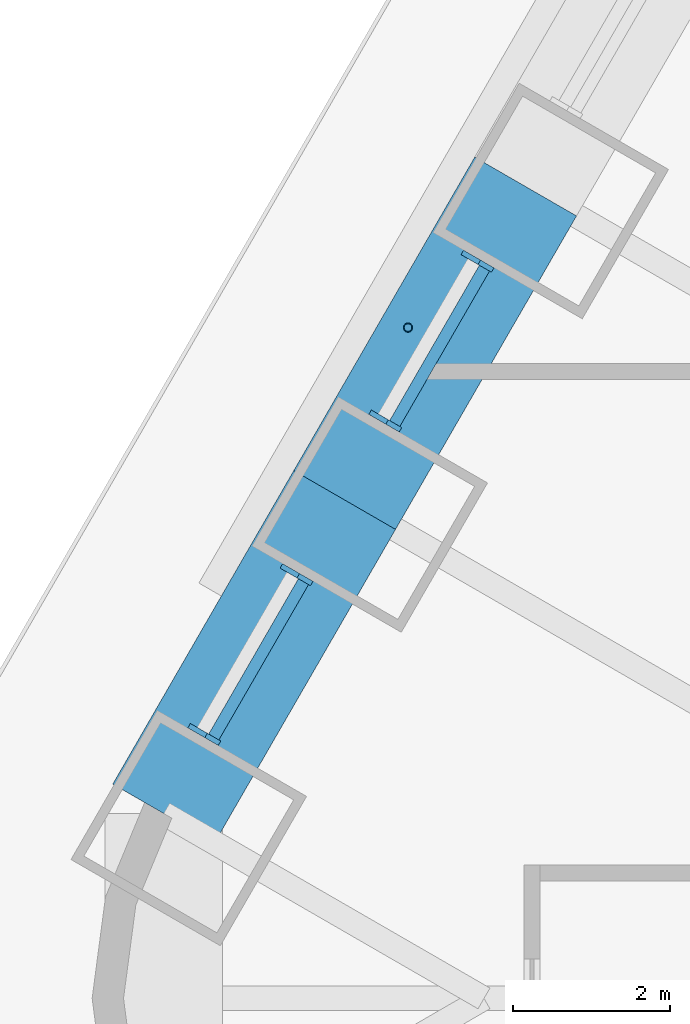
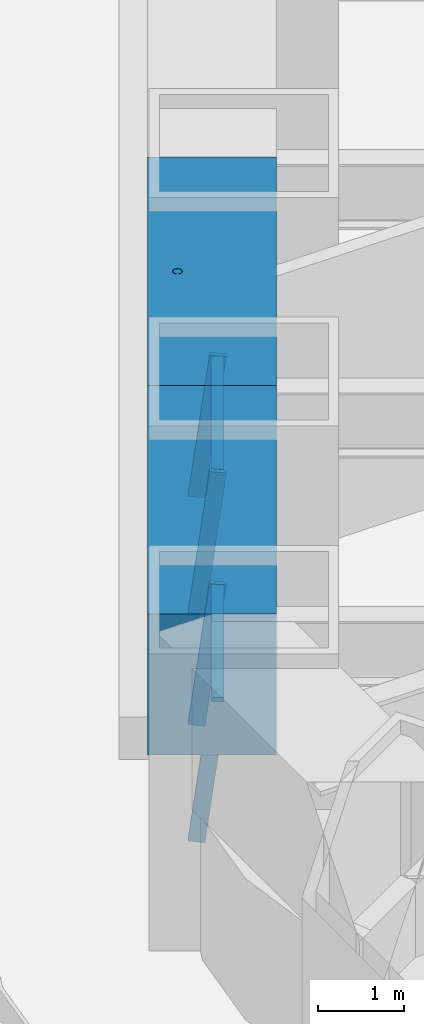
# One storey, part 6 of 20: 7 members, 2 beams, 2 elements without a shape of their own.
"""IFC4 building model written with IfcOpenShell, lengths in metres."""

from ifc_helpers import new_model, si_unit, direction, frame, origin, origin_2d, place, context, subcontext, project, spatial, rectangle, hollow_circle, extrude, material, material_profile, profile_set, type_object, element, aggregate, save


model = new_model("IFC4")

# Units and contexts
model_context = context("Model", 3, precision=1e-05, world=origin(), true_north=direction((0.0, 1.0)))
body_context = subcontext(model_context, "Body", "Model", "MODEL_VIEW")
ifc_project = project(units=[si_unit("LENGTHUNIT", "METRE"), si_unit("AREAUNIT", "SQUARE_METRE"), si_unit("VOLUMEUNIT", "CUBIC_METRE"), si_unit("PLANEANGLEUNIT", "RADIAN"), si_unit("MASSUNIT", "GRAM", prefix="KILO")], contexts=[model_context])

# Site, building, storey
site_placement = place(None, origin())
site = spatial("IfcSite", under=ifc_project, at=site_placement, CompositionType="ELEMENT")
building_placement = place(site_placement, origin())
building = spatial("IfcBuilding", under=site, at=building_placement, Name="Tarfa Lantern Tower", CompositionType="ELEMENT")
storey_placement = place(building_placement, frame((0.0, 0.0, 215.5)))
storey = spatial("IfcBuildingStorey", under=building, at=storey_placement, Name="L48", CompositionType="ELEMENT", Elevation=215.5)

# Curtain wall, members
ifc_material_1 = material(Name="Aluminium framed curtain wall", Category="aluminium")
curtain_wall_type = type_object("IfcCurtainWallType", Name="CW3 CANTED GLAZING HIGH ZONE 2000", PredefinedType="USERDEFINED", material=ifc_material_1)
curtain_wall_1_placement = place(storey_placement, origin())
curtain_wall_1 = element("IfcCurtainWall", 1, at=curtain_wall_1_placement, inside=storey, type_object=curtain_wall_type, Name="CW3 NW L48", ObjectType="CURTAIN WALL", PredefinedType="USERDEFINED")
ifc_material_2 = material(Name="Aluminium mullion", Category="aluminium")
ifc_material_profile_1 = material_profile(ifc_material_2, rectangle(XDim=0.06494140625, YDim=0.199951171875, at=origin_2d()), Name="AL MULLION 65x200")
ifc_profile_set_1 = profile_set([ifc_material_profile_1], Name="Aluminium mullion")
member_type_1 = type_object("IfcMemberType", Name="CWM1 MULLION 65x200", PredefinedType="MULLION", material=ifc_profile_set_1)
member_1_placement = place(storey_placement, frame((-27.90380859375, 9.46923828125, 0.0), z_axis=(0.107439978116, -0.062017213975, 0.992275423596), x_axis=(0.499919672301, 0.866071776036, 0.0)))
member_1 = element("IfcMember", 2, at=member_1_placement, type_object=member_type_1, Name="CW3 mullion 1", PredefinedType="MULLION", context=body_context, shape_type="SweptSolid", body=[
    extrude(rectangle(XDim=0.06494140625, YDim=0.199951171875, at=origin_2d()), origin(), (0.0, 0.0, 1.0), 2.015625),
])
member_2_placement = place(storey_placement, frame((-29.08056640625, 7.4306640625, 0.0), z_axis=(0.107320246625, -0.062018020623, 0.992288329964), x_axis=(0.500342721131, 0.865827443207, 0.0)))
member_2 = element("IfcMember", 3, at=member_2_placement, type_object=member_type_1, Name="CW3 mullion 2", PredefinedType="MULLION", context=body_context, shape_type="SweptSolid", body=[
    extrude(rectangle(XDim=0.06494140625, YDim=0.199951171875, at=origin_2d()), origin(), (0.0, 0.0, 1.0), 2.015625),
])

curtain_wall_2_placement = place(storey_placement, origin())
curtain_wall_2 = element("IfcCurtainWall", 4, at=curtain_wall_2_placement, inside=storey, type_object=curtain_wall_type, Name="CW3 NW L48", ObjectType="CURTAIN WALL", PredefinedType="USERDEFINED")
member_3_placement = place(storey_placement, frame((-30.213134765625, 5.46923828125, 0.0), z_axis=(0.107439978116, -0.062017213975, 0.992275423596), x_axis=(0.499919672301, 0.866071776036, 0.0)))
member_3 = element("IfcMember", 5, at=member_3_placement, type_object=member_type_1, Name="CW3 mullion 1", PredefinedType="MULLION", context=body_context, shape_type="SweptSolid", body=[
    extrude(rectangle(XDim=0.06494140625, YDim=0.199951171875, at=origin_2d()), origin(), (0.0, 0.0, 1.0), 2.015625),
])
member_4_placement = place(storey_placement, frame((-31.39013671875, 3.4306640625, 0.0), z_axis=(0.107439978116, -0.062017213975, 0.992275423596), x_axis=(0.499919672301, 0.866071776036, 0.0)))
member_4 = element("IfcMember", 6, at=member_4_placement, type_object=member_type_1, Name="CW3 mullion 2", PredefinedType="MULLION", context=body_context, shape_type="SweptSolid", body=[
    extrude(rectangle(XDim=0.06494140625, YDim=0.199951171875, at=origin_2d()), origin(), (0.0, 0.0, 1.0), 2.015625),
])

# Member
ifc_material_3 = material(Name="Aluminium transom", Category="aluminium")
ifc_material_profile_2 = material_profile(ifc_material_3, rectangle(XDim=0.14990234375, YDim=0.06494140625, at=origin_2d()), Name="AL TRANSOM 150x65")
ifc_profile_set_2 = profile_set([ifc_material_profile_2], Name="Aluminium transom")
member_type_2 = type_object("IfcMemberType", Name="CWT1 TRANSOM 150x65", PredefinedType="USERDEFINED", material=ifc_profile_set_2)
member_5_placement = place(storey_placement, frame((-27.70703125, 9.318115234375, 1.967529296875), z_axis=(-0.500039451542, -0.866002625228, 0.0), x_axis=(0.866002625228, -0.500039451542, 0.0)))
member_5 = element("IfcMember", 7, at=member_5_placement, type_object=member_type_2, Name="CW3 transom 1.2", ObjectType="TRANSOM", PredefinedType="USERDEFINED", context=body_context, shape_type="SweptSolid", body=[
    extrude(rectangle(XDim=0.14990234375, YDim=0.06494140625, at=origin_2d()), origin(), (0.0, 0.0, 1.0), 2.288818359375),
])

aggregate(curtain_wall_1, [member_1, member_2, member_5])

member_6_placement = place(storey_placement, frame((-30.016357421875, 5.318115234375, 1.967529296875), z_axis=(-0.500039451542, -0.866002625228, 0.0), x_axis=(0.866002625228, -0.500039451542, 0.0)))
member_6 = element("IfcMember", 8, at=member_6_placement, type_object=member_type_2, Name="CW3 transom 1.2", ObjectType="TRANSOM", PredefinedType="USERDEFINED", context=body_context, shape_type="SweptSolid", body=[
    extrude(rectangle(XDim=0.14990234375, YDim=0.06494140625, at=origin_2d()), origin(), (0.0, 0.0, 1.0), 2.288818359375),
])

aggregate(curtain_wall_2, [member_3, member_4, member_6])

# Beams
ifc_material_4 = material(Name="Concrete C80/95", Category="concrete")
ifc_material_profile_3 = material_profile(ifc_material_4, rectangle(XDim=1.5, YDim=2.0, at=origin_2d()), Name="RC 1500x2000")
ifc_profile_set_3 = profile_set([ifc_material_profile_3], Name="Concrete C80/95")
beam_type = type_object("IfcBeamType", Name="RB3 RC 1500x2000", PredefinedType="BEAM", material=ifc_profile_set_3)
beam_1_placement = place(storey_placement, frame((-27.181640625, 10.360107421875, 3.0), z_axis=(-0.499987836815, -0.866032426089, 0.0), x_axis=(0.866032426089, -0.499987836815, 0.0)))
element("IfcBeam", 9, at=beam_1_placement, inside=storey, type_object=beam_type, Name="Edge beam NW4", PredefinedType="BEAM", context=body_context, shape_type="SweptSolid", body=[
    extrude(rectangle(XDim=1.5, YDim=2.0, at=origin_2d()), origin(), (0.0, 0.0, 1.0), 4.61865234375),
])
beam_2_placement = place(storey_placement, frame((-29.490966796875, 6.360107421875, 3.0), z_axis=(-0.500027479704, -0.866009537788, 0.0), x_axis=(0.866009537788, -0.500027479704, 0.0)))
element("IfcBeam", 10, at=beam_2_placement, inside=storey, type_object=beam_type, Name="Edge beam NW5", PredefinedType="BEAM", context=body_context, shape_type="SweptSolid", body=[
    extrude(rectangle(XDim=1.5, YDim=2.0, at=origin_2d()), origin(), (0.0, 0.0, 1.0), 4.618896484375),
])

# Member
ifc_material_5 = material(Name="Steel S355", Category="steel")
ifc_material_profile_4 = material_profile(ifc_material_5, hollow_circle(Radius=0.05712890625, WallThickness=0.00634765625, at=origin_2d()), Name="CHS114.3x6.3")
ifc_profile_set_4 = profile_set([ifc_material_profile_4], Name="Steel S355")
member_type_3 = type_object("IfcMemberType", Name="TR1 GREEN WALL TRELLIS CHS114.3x6.3", PredefinedType="USERDEFINED", material=ifc_profile_set_4)
member_7_placement = place(storey_placement, frame((-28.682861328125, 8.56005859375, 0.0), z_axis=(0.0, 0.0, 1.0), x_axis=(1.0, 0.0, 0.0)))
element("IfcMember", 11, at=member_7_placement, inside=storey, type_object=member_type_3, Name="Trellis post NW 2", ObjectType="TRELLIS", PredefinedType="USERDEFINED", context=body_context, shape_type="SweptSolid", body=[
    extrude(hollow_circle(Radius=0.05712890625, WallThickness=0.00634765625, at=origin_2d()), origin(), (0.0, 0.0, 1.0), 4.0),
])

save(model, "model.ifc")
